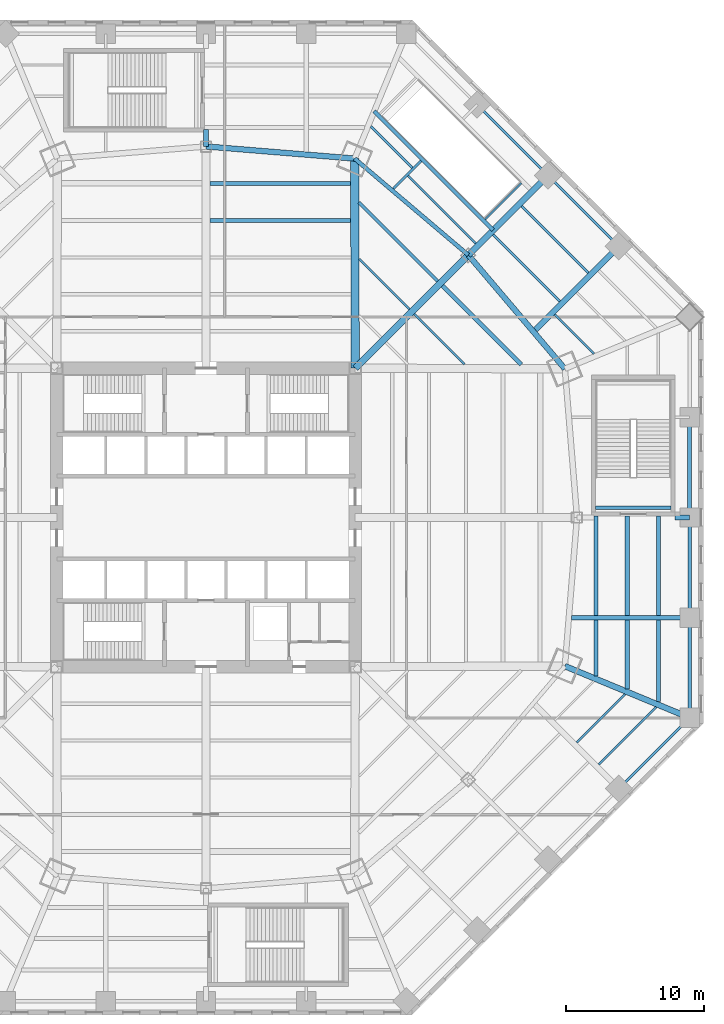
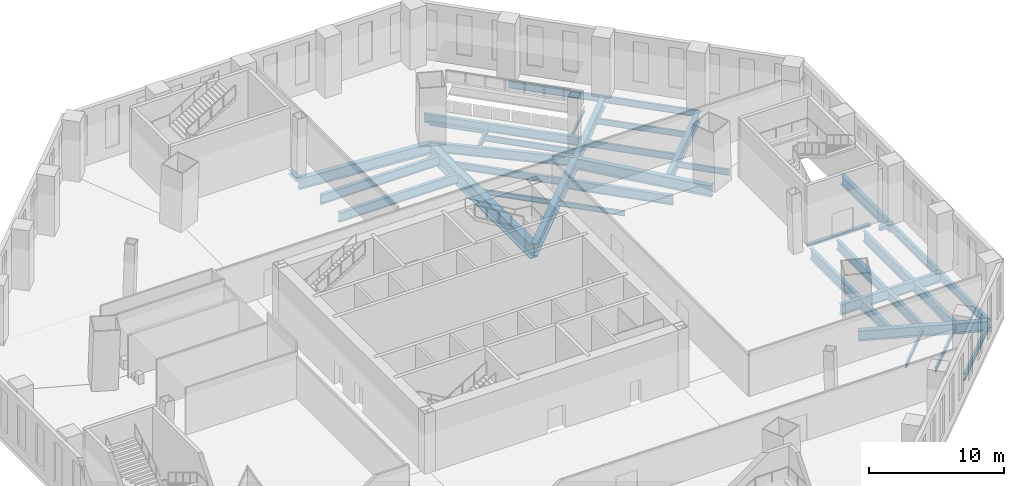
# One storey, part 5 of 18: 38 beams, 2 members.
"""IFC4 building model written with IfcOpenShell, lengths in metres."""

from ifc_helpers import new_model, si_unit, direction, frame, origin, origin_2d, place, context, subcontext, project, spatial, i_section, extrude, source, transform, mapped, material, material_profile, profile_set, type_object, type_shapes, element, save


model = new_model("IFC4")

# Units and contexts
model_context = context("Model", 3, precision=1e-05, world=origin(), true_north=direction((0.0, 1.0)))
body_context = subcontext(model_context, "Body", "Model", "MODEL_VIEW")
ifc_project = project(units=[si_unit("LENGTHUNIT", "METRE"), si_unit("AREAUNIT", "SQUARE_METRE"), si_unit("VOLUMEUNIT", "CUBIC_METRE"), si_unit("PLANEANGLEUNIT", "RADIAN"), si_unit("MASSUNIT", "GRAM", prefix="KILO")], contexts=[model_context])

# Site, building, storey
site_placement = place(None, origin())
site = spatial("IfcSite", under=ifc_project, at=site_placement, CompositionType="ELEMENT")
building_placement = place(site_placement, origin())
building = spatial("IfcBuilding", under=site, at=building_placement, Name="Mashrafa Tower", CompositionType="ELEMENT")
storey_placement = place(building_placement, frame((0.0, 0.0, 13.199951171875)))
storey = spatial("IfcBuildingStorey", under=building, at=storey_placement, Name="L02", CompositionType="ELEMENT", Elevation=13.199951171875)

# Beams
ifc_material_1 = material(Name="Steel ASTM A572 Gr 50", Category="steel")
ifc_material_profile_1 = material_profile(ifc_material_1, i_section(OverallWidth=0.5, OverallDepth=1.10009765625, WebThickness=0.02490234375, FlangeThickness=0.050048828125, at=origin_2d()), Name="H1100X500X25X50")
ifc_profile_set_1 = profile_set([ifc_material_profile_1], Name="Steel ASTM A572 Gr 50")
beam_type_1 = type_object("IfcBeamType", Name="Beam H1100X500X25X50", PredefinedType="BEAM", material=ifc_profile_set_1)
beam_1_placement = place(storey_placement, frame((10.800048828125, 10.800048828125, -0.849853515625), z_axis=(0.707106781187, 0.707106781187, 0.0), x_axis=(-0.707106781187, 0.707106781187, 0.0)))
element("IfcBeam", 1, at=beam_1_placement, inside=storey, type_object=beam_type_1, Name="Radial girder L02 227", PredefinedType="BEAM", context=body_context, shape_type="SweptSolid", body=[
    extrude(i_section(OverallWidth=0.5, OverallDepth=1.10009765625, WebThickness=0.02490234375, FlangeThickness=0.050048828125, at=origin_2d()), origin(), (0.0, 0.0, 1.0), 11.576171875),
])
ifc_material_2 = material(Name="Steel ASTM A572 Gr 50", Category="steel")
ifc_material_profile_2 = material_profile(ifc_material_2, i_section(OverallWidth=0.60009765625, OverallDepth=1.300048828125, WebThickness=0.028076171875, FlangeThickness=0.06494140625, at=origin_2d()), Name="H1300X600X28X65")
ifc_profile_set_2 = profile_set([ifc_material_profile_2], Name="Steel ASTM A572 Gr 50")
beam_type_2 = type_object("IfcBeamType", Name="Beam H1300X600X28X65", PredefinedType="BEAM", material=ifc_profile_set_2)
beam_2_placement = place(storey_placement, frame((10.800048828125, 10.800048828125, -0.949951171875), z_axis=(-0.002783890858, 0.999996124968, 0.0), x_axis=(-0.999996124968, -0.002783890858, 0.0)))
element("IfcBeam", 2, at=beam_2_placement, inside=storey, type_object=beam_type_2, Name="Radial girder L02 226", PredefinedType="BEAM", context=body_context, shape_type="SweptSolid", body=[
    extrude(i_section(OverallWidth=0.60009765625, OverallDepth=1.300048828125, WebThickness=0.028076171875, FlangeThickness=0.06494140625, at=origin_2d()), origin(), (0.0, 0.0, 1.0), 15.171630859375),
])
ifc_material_3 = material(Name="Steel ASTM A992", Category="steel")
ifc_material_profile_3 = material_profile(ifc_material_3, i_section(OverallWidth=0.164794921875, OverallDepth=0.309814453125, WebThickness=0.005859375, FlangeThickness=0.009765625, FilletRadius=0.007568359375, at=origin_2d()), Name="W12X26")
ifc_profile_set_3 = profile_set([ifc_material_profile_3], Name="Steel ASTM A992")
beam_type_3 = type_object("IfcBeamType", Name="Beam W12X26", PredefinedType="BEAM", material=ifc_profile_set_3)
beam_3_placement = place(storey_placement, frame((11.93701171875, 28.294189453125, -0.454833984375), z_axis=(0.707106781187, -0.707106781187, 0.0), x_axis=(0.707106781187, 0.707106781187, 0.0)))
element("IfcBeam", 3, at=beam_3_placement, inside=storey, type_object=beam_type_3, Name="Floor beam L02 079", PredefinedType="BEAM", context=body_context, shape_type="SweptSolid", body=[
    extrude(i_section(OverallWidth=0.164794921875, OverallDepth=0.309814453125, WebThickness=0.005859375, FlangeThickness=0.009765625, FilletRadius=0.007568359375, at=origin_2d()), origin(), (0.0, 0.0, 1.0), 4.228515625),
])
ifc_material_4 = material(Name="Steel ASTM A992", Category="steel")
ifc_material_profile_4 = material_profile(ifc_material_4, i_section(OverallWidth=0.140380859375, OverallDepth=0.40380859375, WebThickness=0.007080078125, FlangeThickness=0.01123046875, FilletRadius=0.01025390625, at=origin_2d()), Name="W16X31")
ifc_profile_set_4 = profile_set([ifc_material_profile_4], Name="Steel ASTM A992")
beam_type_4 = type_object("IfcBeamType", Name="Beam W16X31", PredefinedType="BEAM", material=ifc_profile_set_4)
beam_4_placement = place(storey_placement, frame((30.325439453125, -12.7880859375, -0.501953125), z_axis=(-0.707106781187, -0.707106781187, 0.0), x_axis=(0.707106781187, -0.707106781187, 0.0)))
element("IfcBeam", 4, at=beam_4_placement, inside=storey, type_object=beam_type_4, Name="Floor beam L02 116", PredefinedType="BEAM", context=body_context, shape_type="SweptSolid", body=[
    extrude(i_section(OverallWidth=0.140380859375, OverallDepth=0.40380859375, WebThickness=0.007080078125, FlangeThickness=0.01123046875, FilletRadius=0.01025390625, at=origin_2d()), origin(), (0.0, 0.0, 1.0), 4.951416015625),
])
beam_5_placement = place(storey_placement, frame((32.58251953125, -13.722900390625, -0.501953125), z_axis=(-0.707086042789, -0.707127518976, 0.0), x_axis=(0.707127518976, -0.707086042789, 0.0)))
element("IfcBeam", 5, at=beam_5_placement, inside=storey, type_object=beam_type_4, Name="Floor beam L02 119", PredefinedType="BEAM", context=body_context, shape_type="SweptSolid", body=[
    extrude(i_section(OverallWidth=0.140380859375, OverallDepth=0.40380859375, WebThickness=0.007080078125, FlangeThickness=0.01123046875, FilletRadius=0.01025390625, at=origin_2d()), origin(), (0.0, 0.0, 1.0), 5.88623046875),
])
beam_6_placement = place(storey_placement, frame((20.197265625, 21.569091796875, -0.501953125), z_axis=(0.707106781187, 0.707106781187, 0.0), x_axis=(-0.707106781187, 0.707106781187, 0.0)))
element("IfcBeam", 6, at=beam_6_placement, inside=storey, type_object=beam_type_4, Name="Header beam L02 123", PredefinedType="BEAM", context=body_context, shape_type="SweptSolid", body=[
    extrude(i_section(OverallWidth=0.140380859375, OverallDepth=0.40380859375, WebThickness=0.007080078125, FlangeThickness=0.01123046875, FilletRadius=0.01025390625, at=origin_2d()), origin(), (0.0, 0.0, 1.0), 3.720703125),
])
ifc_material_5 = material(Name="Steel ASTM A992", Category="steel")
ifc_material_profile_5 = material_profile(ifc_material_5, i_section(OverallWidth=0.15234375, OverallDepth=0.449462890625, WebThickness=0.007568359375, FlangeThickness=0.0107421875, FilletRadius=0.01025390625, at=origin_2d()), Name="W18X35")
ifc_profile_set_5 = profile_set([ifc_material_profile_5], Name="Steel ASTM A992")
beam_type_5 = type_object("IfcBeamType", Name="Beam W18X35", PredefinedType="BEAM", material=ifc_profile_set_5)
for number, where, z_axis, x_axis, name in (
    (7, (11.077880859375, 18.707763671875, -0.524658203125), (0.707106781187, -0.707106781187, 0.0), (0.707106781187, 0.707106781187, 0.0), "Floor beam L02 074"),
    (8, (15.069580078125, 14.716064453125, -0.524658203125), (0.707106781187, -0.707106781187, 0.0), (0.707106781187, 0.707106781187, 0.0), "Floor beam L02 089"),
):
    element("IfcBeam", number, at=place(storey_placement, frame(where, z_axis=z_axis, x_axis=x_axis)), inside=storey, type_object=beam_type_5, Name=name, PredefinedType="BEAM", context=body_context, shape_type="SweptSolid", body=[
        extrude(i_section(OverallWidth=0.15234375, OverallDepth=0.449462890625, WebThickness=0.007568359375, FlangeThickness=0.0107421875, FilletRadius=0.01025390625, at=origin_2d()), origin(), (0.0, 0.0, 1.0), 5.145263671875),
    ])
ifc_material_6 = material(Name="Steel ASTM A992", Category="steel")
ifc_material_profile_6 = material_profile(ifc_material_6, i_section(OverallWidth=0.1650390625, OverallDepth=0.52587890625, WebThickness=0.0087890625, FlangeThickness=0.011474609375, FilletRadius=0.0126953125, at=origin_2d()), Name="W21X44")
ifc_profile_set_6 = profile_set([ifc_material_profile_6], Name="Steel ASTM A992")
beam_type_6 = type_object("IfcBeamType", Name="Beam W21X44", PredefinedType="BEAM", material=ifc_profile_set_6)
beam_7_placement = place(storey_placement, frame((14.615478515625, 24.74072265625, -0.562744140625), z_axis=(0.707106781187, -0.707106781187, 0.0), x_axis=(0.707106781187, 0.707106781187, 0.0)))
element("IfcBeam", 9, at=beam_7_placement, inside=storey, type_object=beam_type_6, Name="Floor beam L02 086", PredefinedType="BEAM", context=body_context, shape_type="SweptSolid", body=[
    extrude(i_section(OverallWidth=0.1650390625, OverallDepth=0.52587890625, WebThickness=0.0087890625, FlangeThickness=0.011474609375, FilletRadius=0.0126953125, at=origin_2d()), origin(), (0.0, 0.0, 1.0), 6.949951171875),
])
beam_8_placement = place(storey_placement, frame((22.83642578125, 22.5400390625, -0.562744140625), z_axis=(0.707124631333, -0.707088930589, 0.0), x_axis=(0.707088930589, 0.707124631333, 0.0)))
element("IfcBeam", 10, at=beam_8_placement, inside=storey, type_object=beam_type_6, Name="Floor beam L02 105", PredefinedType="BEAM", context=body_context, shape_type="SweptSolid", body=[
    extrude(i_section(OverallWidth=0.1650390625, OverallDepth=0.52587890625, WebThickness=0.0087890625, FlangeThickness=0.011474609375, FilletRadius=0.0126953125, at=origin_2d()), origin(), (0.0, 0.0, 1.0), 6.838623046875),
])
ifc_material_7 = material(Name="Steel ASTM A992", Category="steel")
ifc_material_profile_7 = material_profile(ifc_material_7, i_section(OverallWidth=0.165771484375, OverallDepth=0.5283203125, WebThickness=0.009765625, FlangeThickness=0.013671875, FilletRadius=0.012939453125, at=origin_2d()), Name="W21X50")
ifc_profile_set_7 = profile_set([ifc_material_profile_7], Name="Steel ASTM A992")
beam_type_7 = type_object("IfcBeamType", Name="Beam W21X50", PredefinedType="BEAM", material=ifc_profile_set_7)
beam_9_placement = place(storey_placement, frame((25.228271484375, 14.693115234375, -0.564208984375), z_axis=(0.707106781187, -0.707106781187, 0.0), x_axis=(0.707106781187, 0.707106781187, 0.0)))
element("IfcBeam", 11, at=beam_9_placement, inside=storey, type_object=beam_type_7, Name="Floor beam L02 109", PredefinedType="BEAM", context=body_context, shape_type="SweptSolid", body=[
    extrude(i_section(OverallWidth=0.165771484375, OverallDepth=0.5283203125, WebThickness=0.009765625, FlangeThickness=0.013671875, FilletRadius=0.012939453125, at=origin_2d()), origin(), (0.0, 0.0, 1.0), 4.026123046875),
])
ifc_material_8 = material(Name="Steel ASTM A992", Category="steel")
ifc_material_profile_8 = material_profile(ifc_material_8, i_section(OverallWidth=0.177978515625, OverallDepth=0.599365234375, WebThickness=0.010009765625, FlangeThickness=0.012939453125, FilletRadius=0.012939453125, at=origin_2d()), Name="W24X55")
ifc_profile_set_8 = profile_set([ifc_material_profile_8], Name="Steel ASTM A992")
beam_type_8 = type_object("IfcBeamType", Name="Beam W24X55", PredefinedType="BEAM", material=ifc_profile_set_8)
beam_10_placement = place(storey_placement, frame((20.77587890625, 20.4794921875, -0.599609375), z_axis=(0.707124631333, -0.707088930589, 0.0), x_axis=(0.707088930589, 0.707124631333, 0.0)))
element("IfcBeam", 12, at=beam_10_placement, inside=storey, type_object=beam_type_8, Name="Floor beam L02 101", PredefinedType="BEAM", context=body_context, shape_type="SweptSolid", body=[
    extrude(i_section(OverallWidth=0.177978515625, OverallDepth=0.599365234375, WebThickness=0.010009765625, FlangeThickness=0.012939453125, FilletRadius=0.012939453125, at=origin_2d()), origin(), (0.0, 0.0, 1.0), 6.838623046875),
])
beam_11_placement = place(storey_placement, frame((24.748779296875, 24.748779296875, -0.599609375), z_axis=(-0.707106781187, 0.707106781187, 0.0), x_axis=(-0.707106781187, -0.707106781187, 0.0)))
element("IfcBeam", 13, at=beam_11_placement, inside=storey, type_object=beam_type_8, Name="Podium edge beam L02 148", PredefinedType="BEAM", context=body_context, shape_type="SweptSolid", body=[
    extrude(i_section(OverallWidth=0.177978515625, OverallDepth=0.599365234375, WebThickness=0.010009765625, FlangeThickness=0.012939453125, FilletRadius=0.012939453125, at=origin_2d()), origin(), (0.0, 0.0, 1.0), 7.248779296875),
])
beam_12_placement = place(storey_placement, frame((29.87451171875, -19.623046875, -0.599609375), z_axis=(0.707106781187, 0.707106781187, 0.0), x_axis=(-0.707106781187, 0.707106781187, 0.0)))
element("IfcBeam", 14, at=beam_12_placement, inside=storey, type_object=beam_type_8, Name="Podium edge beam L02 149", PredefinedType="BEAM", context=body_context, shape_type="SweptSolid", body=[
    extrude(i_section(OverallWidth=0.177978515625, OverallDepth=0.599365234375, WebThickness=0.010009765625, FlangeThickness=0.012939453125, FilletRadius=0.012939453125, at=origin_2d()), origin(), (0.0, 0.0, 1.0), 7.24853515625),
])
beam_13_placement = place(storey_placement, frame((29.87451171875, 19.623046875, -0.599609375), z_axis=(-0.707106781187, 0.707106781187, 0.0), x_axis=(-0.707106781187, -0.707106781187, 0.0)))
element("IfcBeam", 15, at=beam_13_placement, inside=storey, type_object=beam_type_8, Name="Podium edge beam L02 150", PredefinedType="BEAM", context=body_context, shape_type="SweptSolid", body=[
    extrude(i_section(OverallWidth=0.177978515625, OverallDepth=0.599365234375, WebThickness=0.010009765625, FlangeThickness=0.012939453125, FilletRadius=0.012939453125, at=origin_2d()), origin(), (0.0, 0.0, 1.0), 7.248779296875),
])
beam_14_placement = place(storey_placement, frame((13.545166015625, 23.79638671875, -0.599609375), z_axis=(0.707106781187, 0.707106781187, 0.0), x_axis=(-0.707106781187, 0.707106781187, 0.0)))
element("IfcBeam", 16, at=beam_14_placement, inside=storey, type_object=beam_type_8, Name="Podium radial beam L02 184", PredefinedType="BEAM", context=body_context, shape_type="SweptSolid", body=[
    extrude(i_section(OverallWidth=0.177978515625, OverallDepth=0.599365234375, WebThickness=0.010009765625, FlangeThickness=0.012939453125, FilletRadius=0.012939453125, at=origin_2d()), origin(), (0.0, 0.0, 1.0), 2.8623046875),
])
ifc_material_9 = material(Name="Steel ASTM A992", Category="steel")
ifc_material_profile_9 = material_profile(ifc_material_9, i_section(OverallWidth=0.227783203125, OverallDepth=0.60205078125, WebThickness=0.010498046875, FlangeThickness=0.014892578125, FilletRadius=0.012939453125, at=origin_2d()), Name="W24X68")
ifc_profile_set_9 = profile_set([ifc_material_profile_9], Name="Steel ASTM A992")
beam_type_9 = type_object("IfcBeamType", Name="Beam W24X68", PredefinedType="BEAM", material=ifc_profile_set_9)
beam_15_placement = place(storey_placement, frame((11.066650390625, 22.81201171875, -0.600830078125), z_axis=(0.707106781187, -0.707106781187, 0.0), x_axis=(0.707106781187, 0.707106781187, 0.0)))
element("IfcBeam", 17, at=beam_15_placement, inside=storey, type_object=beam_type_9, Name="Floor beam L02 072", PredefinedType="BEAM", context=body_context, shape_type="SweptSolid", body=[
    extrude(i_section(OverallWidth=0.227783203125, OverallDepth=0.60205078125, WebThickness=0.010498046875, FlangeThickness=0.014892578125, FilletRadius=0.012939453125, at=origin_2d()), origin(), (0.0, 0.0, 1.0), 8.05517578125),
])
ifc_material_10 = material(Name="Steel ASTM A992", Category="steel")
ifc_material_profile_10 = material_profile(ifc_material_10, i_section(OverallWidth=0.2666015625, OverallDepth=0.75439453125, WebThickness=0.01318359375, FlangeThickness=0.01708984375, FilletRadius=0.0166015625, at=origin_2d()), Name="W30X99")
ifc_profile_set_10 = profile_set([ifc_material_profile_10], Name="Steel ASTM A992")
beam_type_10 = type_object("IfcBeamType", Name="Beam W30X99", PredefinedType="BEAM", material=ifc_profile_set_10)
for number, where, z_axis, x_axis, name in (
    (18, (35.0, -14.49755859375, -0.67724609375), (0.0, 1.0, 0.0), (-1.0, 0.0, 0.0), "Podium edge beam L02 151"),
    (19, (35.0, -7.248779296875, -0.67724609375), (0.0, 1.0, 0.0), (-1.0, 0.0, 0.0), "Podium edge beam L02 152"),
):
    element("IfcBeam", number, at=place(storey_placement, frame(where, z_axis=z_axis, x_axis=x_axis)), inside=storey, type_object=beam_type_10, Name=name, PredefinedType="BEAM", context=body_context, shape_type="SweptSolid", body=[
        extrude(i_section(OverallWidth=0.2666015625, OverallDepth=0.75439453125, WebThickness=0.01318359375, FlangeThickness=0.01708984375, FilletRadius=0.0166015625, at=origin_2d()), origin(), (0.0, 0.0, 1.0), 7.248779296875),
    ])
beam_16_placement = place(storey_placement, frame((20.788818359375, 20.788818359375, -0.67724609375), z_axis=(-0.707096757062, 0.707116805169, 0.0), x_axis=(-0.707116805169, -0.707096757062, 0.0)))
element("IfcBeam", 20, at=beam_16_placement, inside=storey, type_object=beam_type_10, Name="Trimmer beam L02 229", PredefinedType="BEAM", context=body_context, shape_type="SweptSolid", body=[
    extrude(i_section(OverallWidth=0.2666015625, OverallDepth=0.75439453125, WebThickness=0.01318359375, FlangeThickness=0.01708984375, FilletRadius=0.0166015625, at=origin_2d()), origin(), (0.0, 0.0, 1.0), 12.177734375),
])
ifc_material_11 = material(Name="Steel ASTM A992", Category="steel")
ifc_material_profile_11 = material_profile(ifc_material_11, i_section(OverallWidth=0.2919921875, OverallDepth=0.8408203125, WebThickness=0.0146484375, FlangeThickness=0.021728515625, FilletRadius=0.017333984375, at=origin_2d()), Name="W33X130")
ifc_profile_set_11 = profile_set([ifc_material_profile_11], Name="Steel ASTM A992")
beam_type_11 = type_object("IfcBeamType", Name="Beam W33X130", PredefinedType="BEAM", material=ifc_profile_set_11)
beam_17_placement = place(storey_placement, frame((17.1162109375, 16.762451171875, -0.72021484375), z_axis=(0.707106781187, -0.707106781187, 0.0), x_axis=(0.707106781187, 0.707106781187, 0.0)))
element("IfcBeam", 21, at=beam_17_placement, inside=storey, type_object=beam_type_11, Name="Floor beam L02 095", PredefinedType="BEAM", context=body_context, shape_type="SweptSolid", body=[
    extrude(i_section(OverallWidth=0.2919921875, OverallDepth=0.8408203125, WebThickness=0.0146484375, FlangeThickness=0.021728515625, FilletRadius=0.017333984375, at=origin_2d()), origin(), (0.0, 0.0, 1.0), 8.05517578125),
])
beam_18_placement = place(storey_placement, frame((18.985595703125, 18.985595703125, -0.72021484375), z_axis=(-0.762283550977, 0.647243221602, 0.0), x_axis=(-0.647243221602, -0.762283550977, 0.0)))
element("IfcBeam", 22, at=beam_18_placement, inside=storey, type_object=beam_type_11, Name="Podium ring girder L02 209", PredefinedType="BEAM", context=body_context, shape_type="SweptSolid", body=[
    extrude(i_section(OverallWidth=0.2919921875, OverallDepth=0.8408203125, WebThickness=0.0146484375, FlangeThickness=0.021728515625, FilletRadius=0.017333984375, at=origin_2d()), origin(), (0.0, 0.0, 1.0), 10.793701171875),
])
ifc_material_12 = material(Name="Steel ASTM A992", Category="steel")
ifc_material_profile_12 = material_profile(ifc_material_12, i_section(OverallWidth=0.2919921875, OverallDepth=0.845703125, WebThickness=0.015380859375, FlangeThickness=0.0244140625, FilletRadius=0.017333984375, at=origin_2d()), Name="W33X141")
ifc_profile_set_12 = profile_set([ifc_material_profile_12], Name="Steel ASTM A992")
beam_type_12 = type_object("IfcBeamType", Name="Beam W33X141", PredefinedType="BEAM", material=ifc_profile_set_12)
beam_19_placement = place(storey_placement, frame((0.300048828125, 21.5, -0.722900390625), z_axis=(1.0, 0.0, 0.0), x_axis=(0.0, 1.0, 0.0)))
element("IfcBeam", 23, at=beam_19_placement, inside=storey, type_object=beam_type_12, Name="Floor beam L02 066", PredefinedType="BEAM", context=body_context, shape_type="SweptSolid", body=[
    extrude(i_section(OverallWidth=0.2919921875, OverallDepth=0.845703125, WebThickness=0.015380859375, FlangeThickness=0.0244140625, FilletRadius=0.017333984375, at=origin_2d()), origin(), (0.0, 0.0, 1.0), 10.170166015625),
])
ifc_material_13 = material(Name="Steel ASTM A992", Category="steel")
ifc_material_profile_13 = material_profile(ifc_material_13, i_section(OverallWidth=0.2919921875, OverallDepth=0.8583984375, WebThickness=0.01708984375, FlangeThickness=0.031005859375, FilletRadius=0.017822265625, at=origin_2d()), Name="W33X169")
ifc_profile_set_13 = profile_set([ifc_material_profile_13], Name="Steel ASTM A992")
beam_type_13 = type_object("IfcBeamType", Name="Beam W33X169", PredefinedType="BEAM", material=ifc_profile_set_13)
beam_20_placement = place(storey_placement, frame((0.300048828125, 24.1748046875, -0.729248046875), z_axis=(1.0, 0.0, 0.0), x_axis=(0.0, 1.0, 0.0)))
element("IfcBeam", 24, at=beam_20_placement, inside=storey, type_object=beam_type_13, Name="Floor beam L02 067", PredefinedType="BEAM", context=body_context, shape_type="SweptSolid", body=[
    extrude(i_section(OverallWidth=0.2919921875, OverallDepth=0.8583984375, WebThickness=0.01708984375, FlangeThickness=0.031005859375, FilletRadius=0.017822265625, at=origin_2d()), origin(), (0.0, 0.0, 1.0), 10.162841796875),
])
beam_21_placement = place(storey_placement, frame((30.48583984375, 0.10009765625, -0.729248046875), z_axis=(0.0, -1.0, 0.0), x_axis=(1.0, 0.0, 0.0)))
element("IfcBeam", 25, at=beam_21_placement, inside=storey, type_object=beam_type_13, Name="Floor beam L02 117 part 1", PredefinedType="BEAM", context=body_context, shape_type="SweptSolid", body=[
    extrude(i_section(OverallWidth=0.2919921875, OverallDepth=0.8583984375, WebThickness=0.01708984375, FlangeThickness=0.031005859375, FilletRadius=0.017822265625, at=origin_2d()), origin(), (0.0, 0.0, 1.0), 7.195068359375),
])
beam_22_placement = place(storey_placement, frame((30.48583984375, -7.40234375, -0.729248046875), z_axis=(0.0, -1.0, 0.0), x_axis=(1.0, 0.0, 0.0)))
element("IfcBeam", 26, at=beam_22_placement, inside=storey, type_object=beam_type_13, Name="Floor beam L02 117 part 2", PredefinedType="BEAM", context=body_context, shape_type="SweptSolid", body=[
    extrude(i_section(OverallWidth=0.2919921875, OverallDepth=0.8583984375, WebThickness=0.01708984375, FlangeThickness=0.031005859375, FilletRadius=0.017822265625, at=origin_2d()), origin(), (0.0, 0.0, 1.0), 4.99853515625),
])
ifc_material_14 = material(Name="Steel ASTM A992", Category="steel")
ifc_material_profile_14 = material_profile(ifc_material_14, i_section(OverallWidth=0.3046875, OverallDepth=0.911865234375, WebThickness=0.015869140625, FlangeThickness=0.02392578125, FilletRadius=0.01904296875, at=origin_2d()), Name="W36X150")
ifc_profile_set_14 = profile_set([ifc_material_profile_14], Name="Steel ASTM A992")
beam_type_14 = type_object("IfcBeamType", Name="Beam W36X150", PredefinedType="BEAM", material=ifc_profile_set_14)
beam_23_placement = place(storey_placement, frame((35.0, 0.0, -0.755859375), z_axis=(0.0, 1.0, 0.0), x_axis=(-1.0, 0.0, 0.0)))
element("IfcBeam", 27, at=beam_23_placement, inside=storey, type_object=beam_type_14, Name="Podium edge beam L02 153", PredefinedType="BEAM", context=body_context, shape_type="SweptSolid", body=[
    extrude(i_section(OverallWidth=0.3046875, OverallDepth=0.911865234375, WebThickness=0.015869140625, FlangeThickness=0.02392578125, FilletRadius=0.01904296875, at=origin_2d()), origin(), (0.0, 0.0, 1.0), 7.248779296875),
])
ifc_material_15 = material(Name="Steel ASTM A992", Category="steel")
ifc_material_profile_15 = material_profile(ifc_material_15, i_section(OverallWidth=0.307373046875, OverallDepth=0.927001953125, WebThickness=0.01953125, FlangeThickness=0.031982421875, FilletRadius=0.01904296875, at=origin_2d()), Name="W36X194")
ifc_profile_set_15 = profile_set([ifc_material_profile_15], Name="Steel ASTM A992")
beam_type_15 = type_object("IfcBeamType", Name="Beam W36X194", PredefinedType="BEAM", material=ifc_profile_set_15)
beam_24_placement = place(storey_placement, frame((28.228759765625, 0.10009765625, -0.763427734375), z_axis=(0.0, -1.0, 0.0), x_axis=(1.0, 0.0, 0.0)))
element("IfcBeam", 28, at=beam_24_placement, inside=storey, type_object=beam_type_15, Name="Floor beam L02 114 part 1", PredefinedType="BEAM", context=body_context, shape_type="SweptSolid", body=[
    extrude(i_section(OverallWidth=0.307373046875, OverallDepth=0.927001953125, WebThickness=0.01953125, FlangeThickness=0.031982421875, FilletRadius=0.01904296875, at=origin_2d()), origin(), (0.0, 0.0, 1.0), 7.195068359375),
])
beam_25_placement = place(storey_placement, frame((28.228759765625, -7.40234375, -0.763427734375), z_axis=(0.0, -1.0, 0.0), x_axis=(1.0, 0.0, 0.0)))
element("IfcBeam", 29, at=beam_25_placement, inside=storey, type_object=beam_type_15, Name="Floor beam L02 114 part 2", PredefinedType="BEAM", context=body_context, shape_type="SweptSolid", body=[
    extrude(i_section(OverallWidth=0.307373046875, OverallDepth=0.927001953125, WebThickness=0.01953125, FlangeThickness=0.031982421875, FilletRadius=0.01904296875, at=origin_2d()), origin(), (0.0, 0.0, 1.0), 4.0634765625),
])
beam_26_placement = place(storey_placement, frame((32.742919921875, 0.10009765625, -0.763427734375), z_axis=(0.0, -1.0, 0.0), x_axis=(1.0, 0.0, 0.0)))
element("IfcBeam", 30, at=beam_26_placement, inside=storey, type_object=beam_type_15, Name="Floor beam L02 120 part 1", PredefinedType="BEAM", context=body_context, shape_type="SweptSolid", body=[
    extrude(i_section(OverallWidth=0.307373046875, OverallDepth=0.927001953125, WebThickness=0.01953125, FlangeThickness=0.031982421875, FilletRadius=0.01904296875, at=origin_2d()), origin(), (0.0, 0.0, 1.0), 7.195068359375),
])
beam_27_placement = place(storey_placement, frame((32.742919921875, -7.40234375, -0.763427734375), z_axis=(0.0, -1.0, 0.0), x_axis=(1.0, 0.0, 0.0)))
element("IfcBeam", 31, at=beam_27_placement, inside=storey, type_object=beam_type_15, Name="Floor beam L02 120 part 2", PredefinedType="BEAM", context=body_context, shape_type="SweptSolid", body=[
    extrude(i_section(OverallWidth=0.307373046875, OverallDepth=0.927001953125, WebThickness=0.01953125, FlangeThickness=0.031982421875, FilletRadius=0.01904296875, at=origin_2d()), origin(), (0.0, 0.0, 1.0), 5.933349609375),
])
beam_28_placement = place(storey_placement, frame((26.45947265625, -7.248779296875, -0.763427734375), z_axis=(1.0, 0.0, 0.0), x_axis=(0.0, 1.0, 0.0)))
element("IfcBeam", 32, at=beam_28_placement, inside=storey, type_object=beam_type_15, Name="Podium radial beam L02 192", PredefinedType="BEAM", context=body_context, shape_type="SweptSolid", body=[
    extrude(i_section(OverallWidth=0.307373046875, OverallDepth=0.927001953125, WebThickness=0.01953125, FlangeThickness=0.031982421875, FilletRadius=0.01904296875, at=origin_2d()), origin(), (0.0, 0.0, 1.0), 8.54052734375),
])
ifc_material_16 = material(Name="Steel ASTM A992", Category="steel")
ifc_material_profile_16 = material_profile(ifc_material_16, i_section(OverallWidth=0.419189453125, OverallDepth=0.927001953125, WebThickness=0.019287109375, FlangeThickness=0.031982421875, FilletRadius=0.020263671875, at=origin_2d()), Name="W36X231")
ifc_profile_set_16 = profile_set([ifc_material_profile_16], Name="Steel ASTM A992")
beam_type_16 = type_object("IfcBeamType", Name="Beam W36X231", PredefinedType="BEAM", material=ifc_profile_set_16)
beam_29_placement = place(storey_placement, frame((18.985595703125, 18.985595703125, -0.763427734375), z_axis=(0.707106781187, 0.707106781187, 0.0), x_axis=(-0.707106781187, 0.707106781187, 0.0)))
element("IfcBeam", 33, at=beam_29_placement, inside=storey, type_object=beam_type_16, Name="Podium radial beam L02 187", PredefinedType="BEAM", context=body_context, shape_type="SweptSolid", body=[
    extrude(i_section(OverallWidth=0.419189453125, OverallDepth=0.927001953125, WebThickness=0.019287109375, FlangeThickness=0.031982421875, FilletRadius=0.020263671875, at=origin_2d()), origin(), (0.0, 0.0, 1.0), 8.150390625),
])
beam_30_placement = place(storey_placement, frame((25.9716796875, -10.7578125, -0.763427734375), z_axis=(0.923876154225, -0.382691588167, 0.0), x_axis=(0.382691588167, 0.923876154225, 0.0)))
element("IfcBeam", 34, at=beam_30_placement, inside=storey, type_object=beam_type_16, Name="Podium radial beam L02 190", PredefinedType="BEAM", context=body_context, shape_type="SweptSolid", body=[
    extrude(i_section(OverallWidth=0.419189453125, OverallDepth=0.927001953125, WebThickness=0.019287109375, FlangeThickness=0.031982421875, FilletRadius=0.020263671875, at=origin_2d()), origin(), (0.0, 0.0, 1.0), 9.772216796875),
])
ifc_material_17 = material(Name="Steel ASTM A992", Category="steel")
ifc_material_profile_17 = material_profile(ifc_material_17, i_section(OverallWidth=0.4013671875, OverallDepth=0.98291015625, WebThickness=0.0166015625, FlangeThickness=0.027099609375, FilletRadius=0.0126953125, at=origin_2d()), Name="W40X199")
ifc_profile_set_17 = profile_set([ifc_material_profile_17], Name="Steel ASTM A992")
beam_type_17 = type_object("IfcBeamType", Name="Beam W40X199", PredefinedType="BEAM", material=ifc_profile_set_17)
beam_31_placement = place(storey_placement, frame((23.835205078125, 13.583984375, -0.79150390625), z_axis=(0.707121073824, 0.707092488261, 0.0), x_axis=(-0.707092488261, 0.707121073824, 0.0)))
element("IfcBeam", 35, at=beam_31_placement, inside=storey, type_object=beam_type_17, Name="Podium radial beam L02 189", PredefinedType="BEAM", context=body_context, shape_type="SweptSolid", body=[
    extrude(i_section(OverallWidth=0.4013671875, OverallDepth=0.98291015625, WebThickness=0.0166015625, FlangeThickness=0.027099609375, FilletRadius=0.0126953125, at=origin_2d()), origin(), (0.0, 0.0, 1.0), 8.540771484375),
])
ifc_material_18 = material(Name="Steel ASTM A992", Category="steel")
ifc_material_profile_18 = material_profile(ifc_material_18, i_section(OverallWidth=0.4013671875, OverallDepth=1.010986328125, WebThickness=0.023681640625, FlangeThickness=0.0419921875, FilletRadius=0.02001953125, at=origin_2d()), Name="W40X297")
ifc_profile_set_18 = profile_set([ifc_material_profile_18], Name="Steel ASTM A992")
beam_type_18 = type_object("IfcBeamType", Name="Beam W40X297", PredefinedType="BEAM", material=ifc_profile_set_18)
for number, where, z_axis, x_axis, name in (
    (36, (10.7578125, 25.9716796875, -0.805419921875), (-0.996684728121, 0.081360633784, 0.0), (-0.081360633784, -0.996684728121, 0.0), "Podium ring girder L02 207"),
    (37, (25.9716796875, 10.7578125, -0.805419921875), (-0.647243221602, 0.762283550977, 0.0), (-0.762283550977, -0.647243221602, 0.0), "Podium ring girder L02 211"),
):
    element("IfcBeam", number, at=place(storey_placement, frame(where, z_axis=z_axis, x_axis=x_axis)), inside=storey, type_object=beam_type_18, Name=name, PredefinedType="BEAM", context=body_context, shape_type="SweptSolid", body=[
        extrude(i_section(OverallWidth=0.4013671875, OverallDepth=1.010986328125, WebThickness=0.023681640625, FlangeThickness=0.0419921875, FilletRadius=0.02001953125, at=origin_2d()), origin(), (0.0, 0.0, 1.0), 10.793701171875),
    ])
ifc_material_19 = material(Name="Steel ASTM A992", Category="steel")
ifc_material_profile_19 = material_profile(ifc_material_19, i_section(OverallWidth=0.25390625, OverallDepth=0.25390625, WebThickness=0.008544921875, FlangeThickness=0.01416015625, FilletRadius=0.010009765625, at=origin_2d()), Name="W10X49")
ifc_profile_set_19 = profile_set([ifc_material_profile_19], Name="Steel ASTM A992")
beam_type_19 = type_object("IfcBeamType", Name="Hoistway beam W10X49", PredefinedType="BEAM", material=ifc_profile_set_19)
beam_32_placement = place(storey_placement, frame((28.199951171875, 0.699951171875, -0.427001953125), z_axis=(1.0, 0.0, 0.0), x_axis=(0.0, 1.0, 0.0)))
element("IfcBeam", 38, at=beam_32_placement, inside=storey, type_object=beam_type_19, Name="Stair P1 landing beam L02", PredefinedType="BEAM", context=body_context, shape_type="SweptSolid", body=[
    extrude(i_section(OverallWidth=0.25390625, OverallDepth=0.25390625, WebThickness=0.008544921875, FlangeThickness=0.01416015625, FilletRadius=0.010009765625, at=origin_2d()), origin(), (0.0, 0.0, 1.0), 5.449951171875),
])

# Members
ifc_material_20 = material(Name="Steel ASTM A992", Category="steel")
ifc_material_profile_20 = material_profile(ifc_material_20, i_section(OverallWidth=0.368408203125, OverallDepth=0.355712890625, WebThickness=0.01123046875, FlangeThickness=0.01806640625, FilletRadius=0.01513671875, at=origin_2d()), Name="W14X90")
ifc_profile_set_20 = profile_set([ifc_material_profile_20], Name="Steel ASTM A992")
member_type = type_object("IfcMemberType", Name="Tie strut W14X90", PredefinedType="STRUT", material=ifc_profile_set_20)
shared_shape_1 = source(origin(), body_context, "Body", "SweptSolid", [
    extrude(i_section(OverallWidth=0.368408203125, OverallDepth=0.355712890625, WebThickness=0.01123046875, FlangeThickness=0.01806640625, FilletRadius=0.01513671875, at=origin_2d()), origin(), (0.0, 0.0, 1.0), 1.050048828125),
])
member_1_placement = place(storey_placement, frame((33.949951171875, 0.0, -0.477783203125), z_axis=(1.0, 0.0, 0.0), x_axis=(0.0, 1.0, 0.0)))
element("IfcMember", 39, at=member_1_placement, inside=storey, type_object=member_type, Name="Tie strut L02 195", PredefinedType="STRUT", context=body_context, shape_type="MappedRepresentation", body=[
    mapped(shared_shape_1, transform((0.0, 0.0, 0.0))),
])
shared_shape_2 = source(origin(), body_context, "Body", "SweptSolid", [
    extrude(i_section(OverallWidth=0.368408203125, OverallDepth=0.355712890625, WebThickness=0.01123046875, FlangeThickness=0.01806640625, FilletRadius=0.01513671875, at=origin_2d()), origin(), (0.0, 0.0, 1.0), 1.22509765625),
])
type_shapes(member_type, [shared_shape_1, shared_shape_2])
member_2_placement = place(storey_placement, frame((0.0, 26.849853515625, -0.477783203125), z_axis=(0.0, 1.0, 0.0), x_axis=(-1.0, 0.0, 0.0)))
element("IfcMember", 40, at=member_2_placement, inside=storey, type_object=member_type, Name="Tie strut L02 176", PredefinedType="STRUT", context=body_context, shape_type="MappedRepresentation", body=[
    mapped(shared_shape_2, transform((0.0, 0.0, 0.0))),
])

save(model, "model.ifc")
